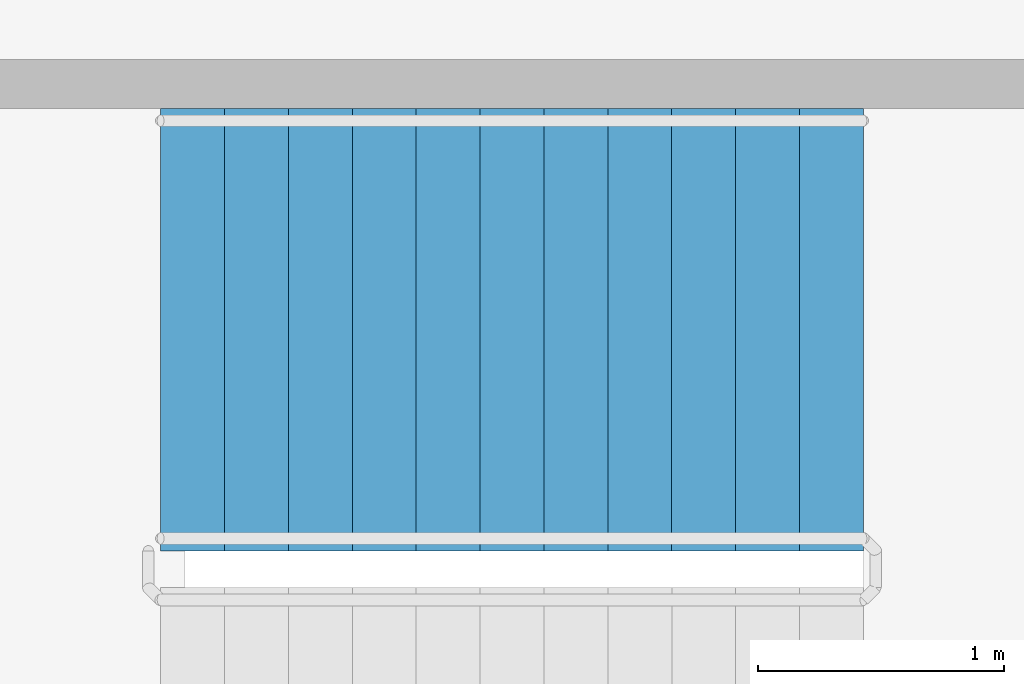
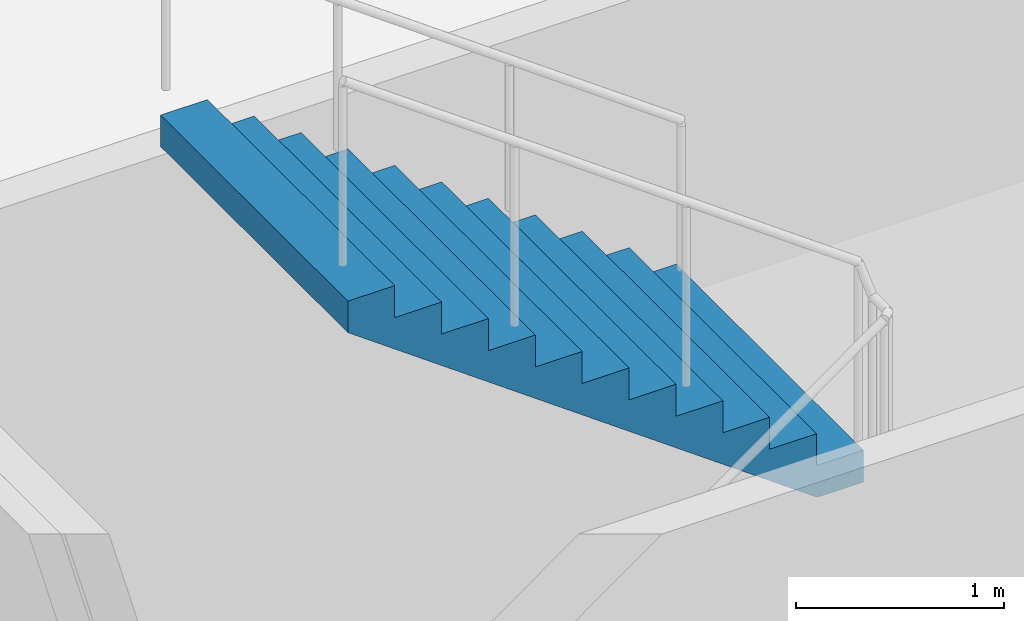
# One storey, part 37 of 49: 1 stair flight, 1 element without a shape of its own.
"""IFC4 building model written with IfcOpenShell, lengths in metres."""

from ifc_helpers import new_model, si_unit, direction, frame, origin, place, context, subcontext, project, spatial, faceted_brep, material, type_object, element, aggregate, save


model = new_model("IFC4")

# Units and contexts
model_context = context("Model", 3, precision=1e-05, world=origin(), true_north=direction((0.0, 1.0)))
body_context = subcontext(model_context, "Body", "Model", "MODEL_VIEW")
ifc_project = project(units=[si_unit("LENGTHUNIT", "METRE"), si_unit("AREAUNIT", "SQUARE_METRE"), si_unit("VOLUMEUNIT", "CUBIC_METRE"), si_unit("PLANEANGLEUNIT", "RADIAN"), si_unit("MASSUNIT", "GRAM", prefix="KILO")], contexts=[model_context])

# Site, building, storey
site_placement = place(None, origin())
site = spatial("IfcSite", under=ifc_project, at=site_placement, CompositionType="ELEMENT")
building_placement = place(site_placement, origin())
building = spatial("IfcBuilding", under=site, at=building_placement, Name="Ipe Terrace Towers", CompositionType="ELEMENT")
storey_placement = place(building_placement, frame((0.0, 0.0, 20.0)))
storey = spatial("IfcBuildingStorey", under=building, at=storey_placement, Name="L04", CompositionType="ELEMENT", Elevation=20.0)

# Stair, stair flight
ifc_material_1 = material(Name="Concrete C30/37", Category="concrete")
stair_type = type_object("IfcStairType", Name="Protected exit stair", PredefinedType="HALF_TURN_STAIR", material=ifc_material_1)
stair_placement = place(storey_placement, origin())
stair = element("IfcStair", 1, at=stair_placement, inside=storey, type_object=stair_type, Name="L04 Podium exit stair PS6", PredefinedType="HALF_TURN_STAIR")
ifc_material_2 = material(Name="Concrete C30/37", Category="concrete")
stair_flight_type = type_object("IfcStairFlightType", Name="Exit stair flight 1800", PredefinedType="STRAIGHT", material=ifc_material_2)
stair_flight_placement = place(storey_placement, frame((52.6298828125, -20.550048828125, 2.25), z_axis=(0.0, 0.0, 1.0), x_axis=(-1.0, 0.0, 0.0)))
stair_flight = element("IfcStairFlight", 2, at=stair_flight_placement, type_object=stair_flight_type, Name="PS6 flight 2", NumberOfRisers=12, NumberOfTreads=11, PredefinedType="STRAIGHT", RiserHeight=0.1875, TreadLength=0.26, context=body_context, shape_type="Brep", body=[
    faceted_brep([(0.25634765625, -0.89990234375, 0.0), (2.860107421875, -0.89990234375, 1.877685546875), (2.860107421875, -0.89990234375, 2.0625), (2.60009765625, -0.89990234375, 2.0625), (2.60009765625, -0.89990234375, 1.875), (2.340087890625, -0.89990234375, 1.875), (2.340087890625, -0.89990234375, 1.6875), (2.080078125, -0.89990234375, 1.6875), (2.080078125, -0.89990234375, 1.5), (1.820068359375, -0.89990234375, 1.5), (1.820068359375, -0.89990234375, 1.3125), (1.56005859375, -0.89990234375, 1.3125), (1.56005859375, -0.89990234375, 1.125), (1.300048828125, -0.89990234375, 1.125), (1.300048828125, -0.89990234375, 0.9375), (1.0400390625, -0.89990234375, 0.9375), (1.0400390625, -0.89990234375, 0.75), (0.780029296875, -0.89990234375, 0.75), (0.780029296875, -0.89990234375, 0.5625), (0.52001953125, -0.89990234375, 0.5625), (0.52001953125, -0.89990234375, 0.375), (0.260009765625, -0.89990234375, 0.375), (0.260009765625, -0.89990234375, 0.1875), (0.0, -0.89990234375, 0.1875), (0.0, -0.89990234375, 0.0), (0.0, 0.89990234375, 0.0), (0.0, 0.89990234375, 0.1875), (0.260009765625, 0.89990234375, 0.1875), (0.260009765625, 0.89990234375, 0.375), (0.52001953125, 0.89990234375, 0.375), (0.52001953125, 0.89990234375, 0.5625), (0.780029296875, 0.89990234375, 0.5625), (0.780029296875, 0.89990234375, 0.75), (1.0400390625, 0.89990234375, 0.75), (1.0400390625, 0.89990234375, 0.9375), (1.300048828125, 0.89990234375, 0.9375), (1.300048828125, 0.89990234375, 1.125), (1.56005859375, 0.89990234375, 1.125), (1.56005859375, 0.89990234375, 1.3125), (1.820068359375, 0.89990234375, 1.3125), (1.820068359375, 0.89990234375, 1.5), (2.080078125, 0.89990234375, 1.5), (2.080078125, 0.89990234375, 1.6875), (2.340087890625, 0.89990234375, 1.6875), (2.340087890625, 0.89990234375, 1.875), (2.60009765625, 0.89990234375, 1.875), (2.60009765625, 0.89990234375, 2.0625), (2.860107421875, 0.89990234375, 2.0625), (2.860107421875, 0.89990234375, 1.877685546875), (0.25634765625, 0.89990234375, 0.0), (0.0, -0.300048828125, 0.1875), (0.0, -0.1201171875, 0.1875), (0.0, -0.06005859375, 0.1875), (0.0, -0.030029296875, 0.1875), (0.0, -0.010009765625, 0.1875), (0.0, 0.0, 0.1875), (0.0, 0.010009765625, 0.1875), (0.0, 0.030029296875, 0.1875), (0.0, 0.06005859375, 0.1875), (0.0, 0.1201171875, 0.1875), (0.0, 0.300048828125, 0.1875), (0.0, 0.300048828125, 0.0), (0.0, 0.1201171875, 0.0), (0.0, 0.06005859375, 0.0), (0.0, 0.030029296875, 0.0), (0.0, 0.010009765625, 0.0), (0.0, 0.0, 0.0), (0.0, -0.010009765625, 0.0), (0.0, -0.030029296875, 0.0), (0.0, -0.06005859375, 0.0), (0.0, -0.1201171875, 0.0), (0.0, -0.300048828125, 0.0), (0.260009765625, -0.300048828125, 0.1875), (0.260009765625, -0.1201171875, 0.1875), (0.260009765625, -0.06005859375, 0.1875), (0.260009765625, -0.030029296875, 0.1875), (0.260009765625, -0.010009765625, 0.1875), (0.260009765625, 0.0, 0.1875), (0.260009765625, 0.010009765625, 0.1875), (0.260009765625, 0.030029296875, 0.1875), (0.260009765625, 0.06005859375, 0.1875), (0.260009765625, 0.1201171875, 0.1875), (0.260009765625, 0.300048828125, 0.1875), (0.260009765625, -0.300048828125, 0.375), (0.260009765625, -0.1201171875, 0.375), (0.260009765625, -0.06005859375, 0.375), (0.260009765625, -0.030029296875, 0.375), (0.260009765625, -0.010009765625, 0.375), (0.260009765625, 0.0, 0.375), (0.260009765625, 0.010009765625, 0.375), (0.260009765625, 0.030029296875, 0.375), (0.260009765625, 0.06005859375, 0.375), (0.260009765625, 0.1201171875, 0.375), (0.260009765625, 0.300048828125, 0.375), (0.52001953125, -0.300048828125, 0.375), (0.52001953125, -0.1201171875, 0.375), (0.52001953125, -0.06005859375, 0.375), (0.52001953125, -0.030029296875, 0.375), (0.52001953125, -0.010009765625, 0.375), (0.52001953125, 0.0, 0.375), (0.52001953125, 0.010009765625, 0.375), (0.52001953125, 0.030029296875, 0.375), (0.52001953125, 0.06005859375, 0.375), (0.52001953125, 0.1201171875, 0.375), (0.52001953125, 0.300048828125, 0.375), (0.52001953125, -0.300048828125, 0.5625), (0.52001953125, -0.1201171875, 0.5625), (0.52001953125, -0.06005859375, 0.5625), (0.52001953125, -0.030029296875, 0.5625), (0.52001953125, -0.010009765625, 0.5625), (0.52001953125, 0.0, 0.5625), (0.52001953125, 0.010009765625, 0.5625), (0.52001953125, 0.030029296875, 0.5625), (0.52001953125, 0.06005859375, 0.5625), (0.52001953125, 0.1201171875, 0.5625), (0.52001953125, 0.300048828125, 0.5625), (0.780029296875, -0.300048828125, 0.5625), (0.780029296875, -0.1201171875, 0.5625), (0.780029296875, -0.06005859375, 0.5625), (0.780029296875, -0.030029296875, 0.5625), (0.780029296875, -0.010009765625, 0.5625), (0.780029296875, 0.0, 0.5625), (0.780029296875, 0.010009765625, 0.5625), (0.780029296875, 0.030029296875, 0.5625), (0.780029296875, 0.06005859375, 0.5625), (0.780029296875, 0.1201171875, 0.5625), (0.780029296875, 0.300048828125, 0.5625), (0.780029296875, -0.300048828125, 0.75), (0.780029296875, -0.1201171875, 0.75), (0.780029296875, -0.06005859375, 0.75), (0.780029296875, -0.030029296875, 0.75), (0.780029296875, -0.010009765625, 0.75), (0.780029296875, 0.0, 0.75), (0.780029296875, 0.010009765625, 0.75), (0.780029296875, 0.030029296875, 0.75), (0.780029296875, 0.06005859375, 0.75), (0.780029296875, 0.1201171875, 0.75), (0.780029296875, 0.300048828125, 0.75), (1.0400390625, -0.300048828125, 0.75), (1.0400390625, -0.1201171875, 0.75), (1.0400390625, -0.06005859375, 0.75), (1.0400390625, -0.030029296875, 0.75), (1.0400390625, -0.010009765625, 0.75), (1.0400390625, 0.0, 0.75), (1.0400390625, 0.010009765625, 0.75), (1.0400390625, 0.030029296875, 0.75), (1.0400390625, 0.06005859375, 0.75), (1.0400390625, 0.1201171875, 0.75), (1.0400390625, 0.300048828125, 0.75), (1.0400390625, -0.300048828125, 0.9375), (1.0400390625, -0.1201171875, 0.9375), (1.0400390625, -0.06005859375, 0.9375), (1.0400390625, -0.030029296875, 0.9375), (1.0400390625, -0.010009765625, 0.9375), (1.0400390625, 0.0, 0.9375), (1.0400390625, 0.010009765625, 0.9375), (1.0400390625, 0.030029296875, 0.9375), (1.0400390625, 0.06005859375, 0.9375), (1.0400390625, 0.1201171875, 0.9375), (1.0400390625, 0.300048828125, 0.9375), (1.300048828125, -0.300048828125, 0.9375), (1.300048828125, -0.1201171875, 0.9375), (1.300048828125, -0.06005859375, 0.9375), (1.300048828125, -0.030029296875, 0.9375), (1.300048828125, -0.010009765625, 0.9375), (1.300048828125, 0.0, 0.9375), (1.300048828125, 0.010009765625, 0.9375), (1.300048828125, 0.030029296875, 0.9375), (1.300048828125, 0.06005859375, 0.9375), (1.300048828125, 0.1201171875, 0.9375), (1.300048828125, 0.300048828125, 0.9375), (1.300048828125, -0.300048828125, 1.125), (1.300048828125, -0.1201171875, 1.125), (1.300048828125, -0.06005859375, 1.125), (1.300048828125, -0.030029296875, 1.125), (1.300048828125, -0.010009765625, 1.125), (1.300048828125, 0.0, 1.125), (1.300048828125, 0.010009765625, 1.125), (1.300048828125, 0.030029296875, 1.125), (1.300048828125, 0.06005859375, 1.125), (1.300048828125, 0.1201171875, 1.125), (1.300048828125, 0.300048828125, 1.125), (1.56005859375, -0.300048828125, 1.125), (1.56005859375, -0.1201171875, 1.125), (1.56005859375, -0.06005859375, 1.125), (1.56005859375, -0.030029296875, 1.125), (1.56005859375, -0.010009765625, 1.125), (1.56005859375, 0.0, 1.125), (1.56005859375, 0.010009765625, 1.125), (1.56005859375, 0.030029296875, 1.125), (1.56005859375, 0.06005859375, 1.125), (1.56005859375, 0.1201171875, 1.125), (1.56005859375, 0.300048828125, 1.125), (1.56005859375, -0.300048828125, 1.3125), (1.56005859375, -0.1201171875, 1.3125), (1.56005859375, -0.06005859375, 1.3125), (1.56005859375, -0.030029296875, 1.3125), (1.56005859375, -0.010009765625, 1.3125), (1.56005859375, 0.0, 1.3125), (1.56005859375, 0.010009765625, 1.3125), (1.56005859375, 0.030029296875, 1.3125), (1.56005859375, 0.06005859375, 1.3125), (1.56005859375, 0.1201171875, 1.3125), (1.56005859375, 0.300048828125, 1.3125), (1.820068359375, -0.300048828125, 1.3125), (1.820068359375, -0.1201171875, 1.3125), (1.820068359375, -0.06005859375, 1.3125), (1.820068359375, -0.030029296875, 1.3125), (1.820068359375, -0.010009765625, 1.3125), (1.820068359375, 0.0, 1.3125), (1.820068359375, 0.010009765625, 1.3125), (1.820068359375, 0.030029296875, 1.3125), (1.820068359375, 0.06005859375, 1.3125), (1.820068359375, 0.1201171875, 1.3125), (1.820068359375, 0.300048828125, 1.3125), (1.820068359375, -0.300048828125, 1.5), (1.820068359375, -0.1201171875, 1.5), (1.820068359375, -0.06005859375, 1.5), (1.820068359375, -0.030029296875, 1.5), (1.820068359375, -0.010009765625, 1.5), (1.820068359375, 0.0, 1.5), (1.820068359375, 0.010009765625, 1.5), (1.820068359375, 0.030029296875, 1.5), (1.820068359375, 0.06005859375, 1.5), (1.820068359375, 0.1201171875, 1.5), (1.820068359375, 0.300048828125, 1.5), (2.080078125, -0.300048828125, 1.5), (2.080078125, -0.1201171875, 1.5), (2.080078125, -0.06005859375, 1.5), (2.080078125, -0.030029296875, 1.5), (2.080078125, -0.010009765625, 1.5), (2.080078125, 0.0, 1.5), (2.080078125, 0.010009765625, 1.5), (2.080078125, 0.030029296875, 1.5), (2.080078125, 0.06005859375, 1.5), (2.080078125, 0.1201171875, 1.5), (2.080078125, 0.300048828125, 1.5), (2.080078125, -0.300048828125, 1.6875), (2.080078125, -0.1201171875, 1.6875), (2.080078125, -0.06005859375, 1.6875), (2.080078125, -0.030029296875, 1.6875), (2.080078125, -0.010009765625, 1.6875), (2.080078125, 0.0, 1.6875), (2.080078125, 0.010009765625, 1.6875), (2.080078125, 0.030029296875, 1.6875), (2.080078125, 0.06005859375, 1.6875), (2.080078125, 0.1201171875, 1.6875), (2.080078125, 0.300048828125, 1.6875), (2.340087890625, -0.300048828125, 1.6875), (2.340087890625, -0.1201171875, 1.6875), (2.340087890625, -0.06005859375, 1.6875), (2.340087890625, -0.030029296875, 1.6875), (2.340087890625, -0.010009765625, 1.6875), (2.340087890625, 0.0, 1.6875), (2.340087890625, 0.010009765625, 1.6875), (2.340087890625, 0.030029296875, 1.6875), (2.340087890625, 0.06005859375, 1.6875), (2.340087890625, 0.1201171875, 1.6875), (2.340087890625, 0.300048828125, 1.6875), (2.340087890625, -0.300048828125, 1.875), (2.340087890625, -0.1201171875, 1.875), (2.340087890625, -0.06005859375, 1.875), (2.340087890625, -0.030029296875, 1.875), (2.340087890625, -0.010009765625, 1.875), (2.340087890625, 0.0, 1.875), (2.340087890625, 0.010009765625, 1.875), (2.340087890625, 0.030029296875, 1.875), (2.340087890625, 0.06005859375, 1.875), (2.340087890625, 0.1201171875, 1.875), (2.340087890625, 0.300048828125, 1.875), (2.60009765625, -0.300048828125, 1.875), (2.60009765625, -0.1201171875, 1.875), (2.60009765625, -0.06005859375, 1.875), (2.60009765625, -0.030029296875, 1.875), (2.60009765625, -0.010009765625, 1.875), (2.60009765625, 0.0, 1.875), (2.60009765625, 0.010009765625, 1.875), (2.60009765625, 0.030029296875, 1.875), (2.60009765625, 0.06005859375, 1.875), (2.60009765625, 0.1201171875, 1.875), (2.60009765625, 0.300048828125, 1.875), (2.60009765625, -0.300048828125, 2.0625), (2.60009765625, -0.1201171875, 2.0625), (2.60009765625, -0.06005859375, 2.0625), (2.60009765625, -0.030029296875, 2.0625), (2.60009765625, -0.010009765625, 2.0625), (2.60009765625, 0.0, 2.0625), (2.60009765625, 0.010009765625, 2.0625), (2.60009765625, 0.030029296875, 2.0625), (2.60009765625, 0.06005859375, 2.0625), (2.60009765625, 0.1201171875, 2.0625), (2.60009765625, 0.300048828125, 2.0625), (2.860107421875, -0.300048828125, 2.0625), (2.860107421875, -0.1201171875, 2.0625), (2.860107421875, -0.06005859375, 2.0625), (2.860107421875, -0.030029296875, 2.0625), (2.860107421875, -0.010009765625, 2.0625), (2.860107421875, 0.0, 2.0625), (2.860107421875, 0.010009765625, 2.0625), (2.860107421875, 0.030029296875, 2.0625), (2.860107421875, 0.06005859375, 2.0625), (2.860107421875, 0.1201171875, 2.0625), (2.860107421875, 0.300048828125, 2.0625), (2.860107421875, -0.300048828125, 1.877685546875), (2.860107421875, -0.1201171875, 1.877685546875), (2.860107421875, -0.06005859375, 1.877685546875), (2.860107421875, -0.030029296875, 1.877685546875), (2.860107421875, -0.010009765625, 1.877685546875), (2.860107421875, 0.0, 1.877685546875), (2.860107421875, 0.010009765625, 1.877685546875), (2.860107421875, 0.030029296875, 1.877685546875), (2.860107421875, 0.06005859375, 1.877685546875), (2.860107421875, 0.1201171875, 1.877685546875), (2.860107421875, 0.300048828125, 1.877685546875), (0.25634765625, -0.300048828125, 0.0), (0.25634765625, -0.1201171875, 0.0), (0.25634765625, -0.06005859375, 0.0), (0.25634765625, -0.030029296875, 0.0), (0.25634765625, -0.010009765625, 0.0), (0.25634765625, 0.0, 0.0), (0.25634765625, 0.010009765625, 0.0), (0.25634765625, 0.030029296875, 0.0), (0.25634765625, 0.06005859375, 0.0), (0.25634765625, 0.1201171875, 0.0), (0.25634765625, 0.300048828125, 0.0)], [[[0, 1, 2, 3, 4, 5, 6, 7, 8, 9, 10, 11, 12, 13, 14, 15, 16, 17, 18, 19, 20, 21, 22, 23, 24]], [[25, 26, 27, 28, 29, 30, 31, 32, 33, 34, 35, 36, 37, 38, 39, 40, 41, 42, 43, 44, 45, 46, 47, 48, 49]], [[23, 50, 51, 52, 53, 54, 55, 56, 57, 58, 59, 60, 26, 25, 61, 62, 63, 64, 65, 66, 67, 68, 69, 70, 71, 24]], [[22, 72, 73, 74, 75, 76, 77, 78, 79, 80, 81, 82, 27, 26, 60, 59, 58, 57, 56, 55, 54, 53, 52, 51, 50, 23]], [[21, 83, 84, 85, 86, 87, 88, 89, 90, 91, 92, 93, 28, 27, 82, 81, 80, 79, 78, 77, 76, 75, 74, 73, 72, 22]], [[20, 94, 95, 96, 97, 98, 99, 100, 101, 102, 103, 104, 29, 28, 93, 92, 91, 90, 89, 88, 87, 86, 85, 84, 83, 21]], [[19, 105, 106, 107, 108, 109, 110, 111, 112, 113, 114, 115, 30, 29, 104, 103, 102, 101, 100, 99, 98, 97, 96, 95, 94, 20]], [[18, 116, 117, 118, 119, 120, 121, 122, 123, 124, 125, 126, 31, 30, 115, 114, 113, 112, 111, 110, 109, 108, 107, 106, 105, 19]], [[17, 127, 128, 129, 130, 131, 132, 133, 134, 135, 136, 137, 32, 31, 126, 125, 124, 123, 122, 121, 120, 119, 118, 117, 116, 18]], [[16, 138, 139, 140, 141, 142, 143, 144, 145, 146, 147, 148, 33, 32, 137, 136, 135, 134, 133, 132, 131, 130, 129, 128, 127, 17]], [[15, 149, 150, 151, 152, 153, 154, 155, 156, 157, 158, 159, 34, 33, 148, 147, 146, 145, 144, 143, 142, 141, 140, 139, 138, 16]], [[14, 160, 161, 162, 163, 164, 165, 166, 167, 168, 169, 170, 35, 34, 159, 158, 157, 156, 155, 154, 153, 152, 151, 150, 149, 15]], [[13, 171, 172, 173, 174, 175, 176, 177, 178, 179, 180, 181, 36, 35, 170, 169, 168, 167, 166, 165, 164, 163, 162, 161, 160, 14]], [[12, 182, 183, 184, 185, 186, 187, 188, 189, 190, 191, 192, 37, 36, 181, 180, 179, 178, 177, 176, 175, 174, 173, 172, 171, 13]], [[11, 193, 194, 195, 196, 197, 198, 199, 200, 201, 202, 203, 38, 37, 192, 191, 190, 189, 188, 187, 186, 185, 184, 183, 182, 12]], [[10, 204, 205, 206, 207, 208, 209, 210, 211, 212, 213, 214, 39, 38, 203, 202, 201, 200, 199, 198, 197, 196, 195, 194, 193, 11]], [[9, 215, 216, 217, 218, 219, 220, 221, 222, 223, 224, 225, 40, 39, 214, 213, 212, 211, 210, 209, 208, 207, 206, 205, 204, 10]], [[8, 226, 227, 228, 229, 230, 231, 232, 233, 234, 235, 236, 41, 40, 225, 224, 223, 222, 221, 220, 219, 218, 217, 216, 215, 9]], [[7, 237, 238, 239, 240, 241, 242, 243, 244, 245, 246, 247, 42, 41, 236, 235, 234, 233, 232, 231, 230, 229, 228, 227, 226, 8]], [[6, 248, 249, 250, 251, 252, 253, 254, 255, 256, 257, 258, 43, 42, 247, 246, 245, 244, 243, 242, 241, 240, 239, 238, 237, 7]], [[5, 259, 260, 261, 262, 263, 264, 265, 266, 267, 268, 269, 44, 43, 258, 257, 256, 255, 254, 253, 252, 251, 250, 249, 248, 6]], [[4, 270, 271, 272, 273, 274, 275, 276, 277, 278, 279, 280, 45, 44, 269, 268, 267, 266, 265, 264, 263, 262, 261, 260, 259, 5]], [[3, 281, 282, 283, 284, 285, 286, 287, 288, 289, 290, 291, 46, 45, 280, 279, 278, 277, 276, 275, 274, 273, 272, 271, 270, 4]], [[2, 292, 293, 294, 295, 296, 297, 298, 299, 300, 301, 302, 47, 46, 291, 290, 289, 288, 287, 286, 285, 284, 283, 282, 281, 3]], [[1, 303, 304, 305, 306, 307, 308, 309, 310, 311, 312, 313, 48, 47, 302, 301, 300, 299, 298, 297, 296, 295, 294, 293, 292, 2]], [[0, 314, 315, 316, 317, 318, 319, 320, 321, 322, 323, 324, 49, 48, 313, 312, 311, 310, 309, 308, 307, 306, 305, 304, 303, 1]], [[24, 71, 70, 69, 68, 67, 66, 65, 64, 63, 62, 61, 25, 49, 324, 323, 322, 321, 320, 319, 318, 317, 316, 315, 314, 0]]]),
])
aggregate(stair, [stair_flight])

save(model, "model.ifc")
